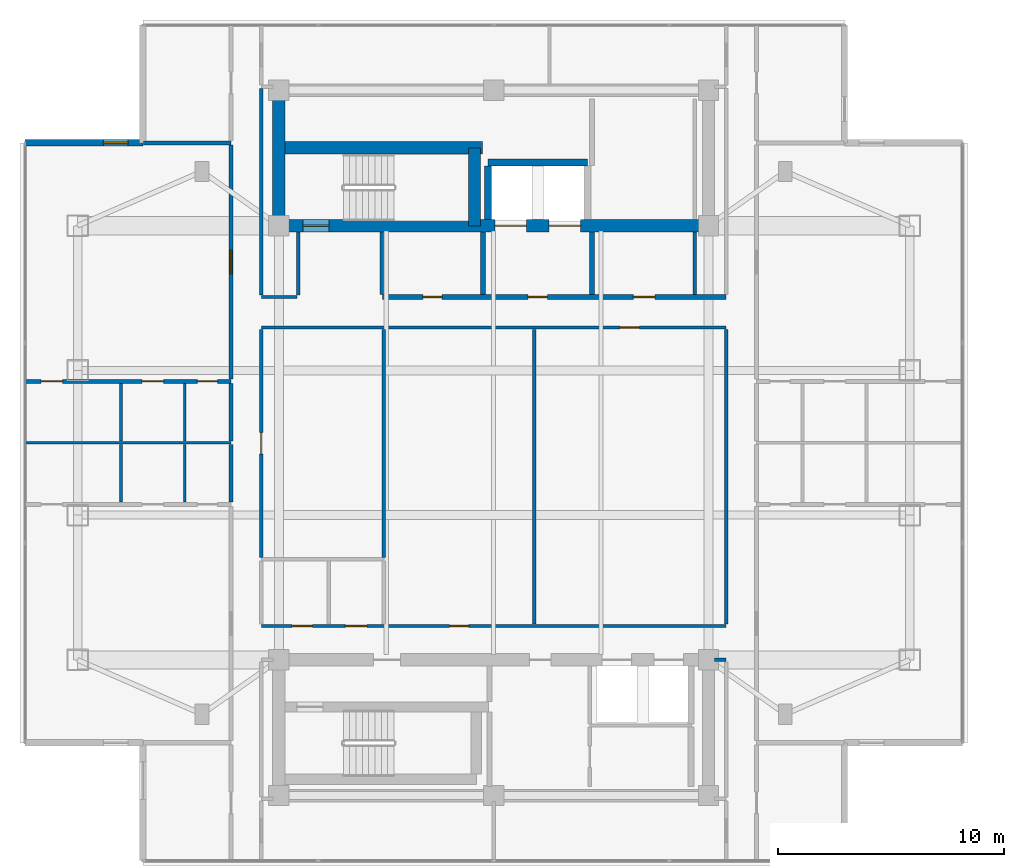
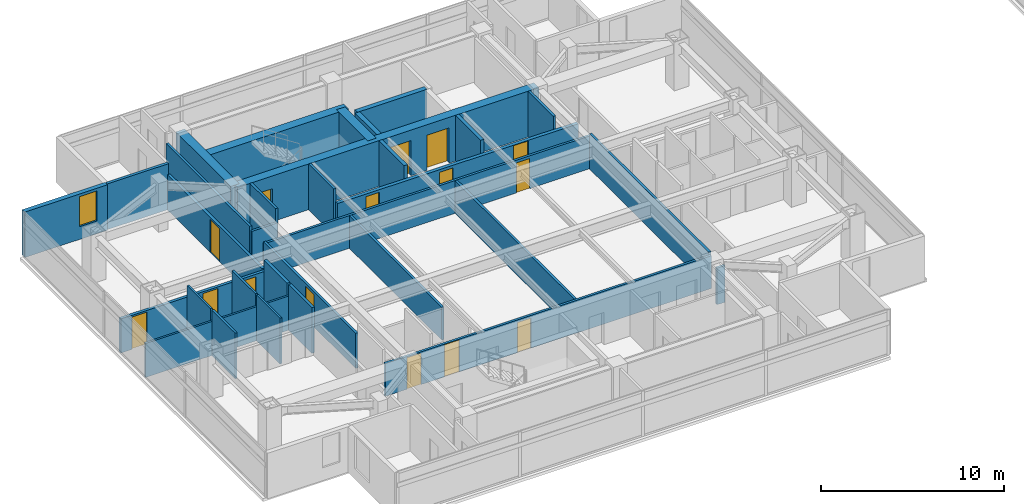
# One storey, part 13 of 24: 32 walls, 15 doors, 1 window, 16 openings.
"""IFC4 building model written with IfcOpenShell, lengths in metres."""

import ifcopenshell
import ifcopenshell.guid

model = None  # the IFC model being written
_history = None  # IfcOwnerHistory: only IFC2X3 demands one
_inside = {}  # id of a spatial element -> (the spatial element, [elements in it])
_under = {}  # id of a project, library or spatial element -> (it, [spatial elements below it])
_declared = {}  # id of a project -> (the project, [libraries it declares])
_typed = {}  # id of a type object -> (the type object, [elements of that type])
_made_of = {}  # id of a material, layer set ... -> (it, [elements and type objects made of it])


def new_model(schema):
    """Start an empty IFC model of exactly this schema.

    Asked for "IFC4X3", IfcOpenShell would pick the latest addendum, in which some entities
    have other attributes; the version numbers below select the first issue.
    IFC2X3 requires an IfcOwnerHistory on every rooted entity: one is made here for all.
    """
    global model, _history
    if schema == "IFC4X3":
        model = ifcopenshell.file(schema_version=(4, 3, 0, 0))
    else:
        model = ifcopenshell.file(schema=schema)
    _inside.clear()
    _under.clear()
    _declared.clear()
    _typed.clear()
    _made_of.clear()
    _history = None
    if model.schema == "IFC2X3":
        org = make("IfcOrganization", Name="unknown")
        user = make(
            "IfcPersonAndOrganization",
            ThePerson=make("IfcPerson", FamilyName="unknown"),
            TheOrganization=org,
        )
        app = make(
            "IfcApplication",
            ApplicationDeveloper=org,
            Version="unknown",
            ApplicationFullName="unknown",
            ApplicationIdentifier="unknown",
        )
        _history = make(
            "IfcOwnerHistory",
            OwningUser=user,
            OwningApplication=app,
            ChangeAction="ADDED",
            CreationDate=0,
        )
    return model


def make(cls, **values):
    """One entity of the class cls with the attributes given. An attribute that is None is left unset."""
    return model.create_entity(
        cls, **{name: value for name, value in values.items() if value is not None}
    )


def rooted(cls, **values):
    """An entity with a GlobalId (a new one), such as an element, a storey or a relation."""
    return make(cls, GlobalId=ifcopenshell.guid.new(), OwnerHistory=_history, **values)


def si_unit(unit_type, name, prefix=None):
    """IfcSIUnit, for example si_unit("LENGTHUNIT", "METRE", prefix="MILLI")."""
    return make("IfcSIUnit", UnitType=unit_type, Prefix=prefix, Name=name)


def assignment(units):
    """IfcUnitAssignment: the units of a project."""
    return None if units is None else make("IfcUnitAssignment", Units=units)


def point(xyz):
    """IfcCartesianPoint."""
    return None if xyz is None else make("IfcCartesianPoint", Coordinates=xyz)


def direction(xyz):
    """IfcDirection."""
    return None if xyz is None else make("IfcDirection", DirectionRatios=xyz)


def frame(location, z_axis=None, x_axis=None):
    """IfcAxis2Placement3D, a coordinate frame: its origin and axes. An axis left out is left unset."""
    return make(
        "IfcAxis2Placement3D",
        Location=point(location),
        Axis=direction(z_axis),
        RefDirection=direction(x_axis),
    )


def frame_2d(location, x_axis=None):
    """IfcAxis2Placement2D, a coordinate frame in the plane: its origin and x axis."""
    return make(
        "IfcAxis2Placement2D", Location=point(location), RefDirection=direction(x_axis)
    )


def origin():
    """The frame at (0, 0, 0) with its axes left unset."""
    return frame((0.0, 0.0, 0.0))


def place(relative_to, where):
    """IfcLocalPlacement: puts the frame where relative to a parent placement (None: the world)."""
    return make(
        "IfcLocalPlacement", PlacementRelTo=relative_to, RelativePlacement=where
    )


def context(
    kind, dimensions, precision=None, world=None, true_north=None, identifier=None
):
    """IfcGeometricRepresentationContext, for example the 3D "Model" context."""
    return make(
        "IfcGeometricRepresentationContext",
        ContextIdentifier=identifier,
        ContextType=kind,
        CoordinateSpaceDimension=dimensions,
        Precision=precision,
        WorldCoordinateSystem=world,
        TrueNorth=true_north,
    )


def subcontext(parent, identifier, kind, view, scale=None):
    """IfcGeometricRepresentationSubContext, for example "Body" below "Model"."""
    return make(
        "IfcGeometricRepresentationSubContext",
        ContextIdentifier=identifier,
        ContextType=kind,
        ParentContext=parent,
        TargetScale=scale,
        TargetView=view,
    )


def project(units=None, contexts=None):
    """IfcProject with its units and contexts."""
    return rooted(
        "IfcProject",
        Name="project",
        RepresentationContexts=contexts,
        UnitsInContext=assignment(units),
    )


def spatial(cls, under=None, at=None, **own):
    """A site, building, storey or space (cls), placed at a placement, below another one or the project."""
    s = rooted(cls, ObjectPlacement=at, **own)
    if under is not None:
        _under.setdefault(under.id(), (under, []))[1].append(s)
    return s


def profile(cls, at=None, kind="AREA", **sizes):
    """A parametric profile (cls). Its sizes go by their IFC names, for example OverallWidth=200.0."""
    return make(cls, ProfileType=kind, Position=at, **sizes)


def rectangle(**sizes):
    """IfcRectangleProfileDef."""
    return profile("IfcRectangleProfileDef", **sizes)


def extrude(swept, where, along, depth):
    """IfcExtrudedAreaSolid: the profile swept, set in the frame where, extruded along a direction by depth."""
    return make(
        "IfcExtrudedAreaSolid",
        SweptArea=swept,
        Position=where,
        ExtrudedDirection=direction(along),
        Depth=depth,
    )


def shape(context_of_items, identifier, shape_type, items):
    """IfcShapeRepresentation: the items that make up one representation, for example the "Body"."""
    return make(
        "IfcShapeRepresentation",
        ContextOfItems=context_of_items,
        RepresentationIdentifier=identifier,
        RepresentationType=shape_type,
        Items=items,
    )


def material(Name=None, Category=None):
    """IfcMaterial."""
    return make("IfcMaterial", Name=Name, Category=Category)


def layer(
    of_material, thickness, ventilated=None, Name=None, Category=None, Priority=None
):
    """IfcMaterialLayer: one layer of a wall or slab, of a material (None: an air gap)."""
    return make(
        "IfcMaterialLayer",
        Material=of_material,
        LayerThickness=thickness,
        IsVentilated=ventilated,
        Name=Name,
        Category=Category,
        Priority=Priority,
    )


def layer_set(layers, Name=None):
    """IfcMaterialLayerSet."""
    return make("IfcMaterialLayerSet", MaterialLayers=layers, LayerSetName=Name)


def made_of(thing, what):
    """Note that an element or type object is made of a material, layer set ...; save() writes the relation."""
    if what is not None:
        _made_of.setdefault(what.id(), (what, []))[1].append(thing)
    return thing


def type_object(cls, material=None, **own):
    """A type object (cls), such as IfcWallType, which elements share."""
    return made_of(rooted(cls, **own), material)


def element(
    cls,
    number,
    at=None,
    inside=None,
    cuts=None,
    type_object=None,
    material=None,
    context=None,
    identifier="Body",
    shape_type=None,
    held_by="IfcProductDefinitionShape",
    body=None,
    shapes=None,
    **own,
):
    """One element of the class cls, such as IfcWall. Its Tag is "e" and its number.

    at: its placement. inside: the storey or other place that contains it. cuts: it is an
    opening in that element (IfcRelVoidsElement). A single representation is given by context,
    identifier, shape_type and body (its items); several are given by shapes. held_by: the class
    of the entity that holds the representations. save() writes the other relations.
    """
    e = rooted(cls, Tag="e%d" % number, ObjectPlacement=at, **own)
    if body is not None:
        shapes = [shape(context, identifier, shape_type, body)]
    if shapes is not None:
        e.Representation = make(held_by, Representations=shapes)
    if inside is not None:
        _inside.setdefault(inside.id(), (inside, []))[1].append(e)
    if cuts is not None:
        rooted(
            "IfcRelVoidsElement", RelatingBuildingElement=cuts, RelatedOpeningElement=e
        )
    if type_object is not None:
        _typed.setdefault(type_object.id(), (type_object, []))[1].append(e)
    return made_of(e, material)


def fill(opening, filler):
    """IfcRelFillsElement: the door or window that sits in an opening."""
    return rooted(
        "IfcRelFillsElement",
        RelatingOpeningElement=opening,
        RelatedBuildingElement=filler,
    )


def aggregate(whole, parts):
    """IfcRelAggregates: a whole, such as a stair, and the parts it consists of."""
    return rooted("IfcRelAggregates", RelatingObject=whole, RelatedObjects=parts)


def save(model, path):
    """Write the relations noted so far, then the file.

    IfcRelAggregates (storeys below a building ...), IfcRelContainedInSpatialStructure (elements
    in a storey), IfcRelDefinesByType, IfcRelAssociatesMaterial and IfcRelDeclares: one each for
    every whole, place, type object, material and project.
    """
    for whole, parts in _under.values():
        aggregate(whole, parts)
    for where, things in _inside.values():
        rooted(
            "IfcRelContainedInSpatialStructure",
            RelatedElements=things,
            RelatingStructure=where,
        )
    for kind, things in _typed.values():
        rooted("IfcRelDefinesByType", RelatedObjects=things, RelatingType=kind)
    for what, things in _made_of.values():
        rooted("IfcRelAssociatesMaterial", RelatedObjects=things, RelatingMaterial=what)
    for by, libraries in _declared.values():
        rooted("IfcRelDeclares", RelatingContext=by, RelatedDefinitions=libraries)
    model.write(path)


model = new_model("IFC4")

# Units and contexts
model_context = context("Model", 3, precision=1e-05, world=origin(), true_north=direction((0.0, 1.0)))
body_context = subcontext(model_context, "Body", "Model", "MODEL_VIEW")
ifc_project = project(units=[si_unit("LENGTHUNIT", "METRE"), si_unit("AREAUNIT", "SQUARE_METRE"), si_unit("VOLUMEUNIT", "CUBIC_METRE"), si_unit("PLANEANGLEUNIT", "RADIAN"), si_unit("MASSUNIT", "GRAM", prefix="KILO")], contexts=[model_context])

# Site, building, storey
site_placement = place(None, origin())
site = spatial("IfcSite", under=ifc_project, at=site_placement, CompositionType="ELEMENT")
building_placement = place(site_placement, origin())
building = spatial("IfcBuilding", under=site, at=building_placement, Name="Mirazonda Arch Towers", CompositionType="ELEMENT")
storey_placement = place(building_placement, frame((0.0, 0.0, 199.89990234375)))
storey = spatial("IfcBuildingStorey", under=building, at=storey_placement, Name="L57", CompositionType="ELEMENT", Elevation=199.89990234375)

# Wall
ifc_material_1 = material(Name="Concrete C50/60", Category="concrete")
ifc_layer_1 = layer(ifc_material_1, 0.550048828125, Name="WALL-CORE-550")
ifc_layer_set_1 = layer_set([ifc_layer_1], Name="Concrete C50/60")
wall_type_1 = type_object("IfcWallType", Name="WALL-CORE-550", PredefinedType="SHEAR", material=ifc_layer_set_1)
wall_1_placement = place(storey_placement, frame((11.0, 37.60009765625, 0.0), z_axis=(0.0, 0.0, 1.0), x_axis=(0.0, 1.0, 0.0)))
element("IfcWall", 1, at=wall_1_placement, inside=storey, type_object=wall_type_1, Name="L57 T1N-W Core Shear Wall", PredefinedType="SHEAR", context=body_context, shape_type="SweptSolid", body=[
    extrude(rectangle(XDim=6.0, YDim=0.550048828125, at=frame_2d((3.0, 0.0))), origin(), (0.0, 0.0, 1.0), 3.050048828125),
])

# Wall, openings, doors
wall_2_placement = place(storey_placement, frame((11.0, 37.60009765625, 0.0), z_axis=(0.0, 0.0, 1.0), x_axis=(1.0, 0.0, 0.0)))
wall_2 = element("IfcWall", 2, at=wall_2_placement, inside=storey, type_object=wall_type_1, Name="L57 T1N-S Core Shear Wall", PredefinedType="SHEAR", context=body_context, shape_type="SweptSolid", body=[
    extrude(rectangle(XDim=19.0, YDim=0.550048828125, at=frame_2d((9.5, 0.0))), origin(), (0.0, 0.0, 1.0), 3.050048828125),
])
opening_1_placement = place(wall_2_placement, frame((1.06005859375, 0.0, 0.0)))
opening_1 = element("IfcOpeningElement", 3, at=opening_1_placement, cuts=wall_2, Name="Opening DR-135", PredefinedType="OPENING", context=body_context, shape_type="SweptSolid", body=[
    extrude(rectangle(XDim=1.14990234375, YDim=2.199951171875, at=frame_2d((0.574951171875, 1.10009765625))), frame((0.0, 0.284912109375, 0.0), z_axis=(0.0, -1.0, 0.0), x_axis=(1.0, 0.0, 0.0)), (0.0, 0.0, 1.0), 0.570068359375),
])
opening_2_placement = place(wall_2_placement, frame((9.550048828125, 0.0, 0.0)))
opening_2 = element("IfcOpeningElement", 4, at=opening_2_placement, cuts=wall_2, Name="Opening LD-112", PredefinedType="OPENING", context=body_context, shape_type="SweptSolid", body=[
    extrude(rectangle(XDim=1.39990234375, YDim=2.35009765625, at=frame_2d((0.699951171875, 1.175048828125))), frame((0.0, 0.284912109375, 0.0), z_axis=(0.0, -1.0, 0.0), x_axis=(1.0, 0.0, 0.0)), (0.0, 0.0, 1.0), 0.570068359375),
])
opening_3_placement = place(wall_2_placement, frame((11.949951171875, 0.0, 0.0)))
opening_3 = element("IfcOpeningElement", 5, at=opening_3_placement, cuts=wall_2, Name="Opening LD-112", PredefinedType="OPENING", context=body_context, shape_type="SweptSolid", body=[
    extrude(rectangle(XDim=1.39990234375, YDim=2.35009765625, at=frame_2d((0.699951171875, 1.175048828125))), frame((0.0, 0.284912109375, 0.0), z_axis=(0.0, -1.0, 0.0), x_axis=(1.0, 0.0, 0.0)), (0.0, 0.0, 1.0), 0.570068359375),
])
ifc_material_2 = material(Name="Architectural Brushed Steel S355", Category="steel")
door_type_1 = type_object("IfcDoorType", Name="DOOR-LIFT-FFL-1400", OperationType="NOTDEFINED", PredefinedType="DOOR", material=ifc_material_2)
door_1_placement = place(opening_2_placement, origin())
door_1 = element("IfcDoor", 6, at=door_1_placement, inside=storey, type_object=door_type_1, Name="L57 Lift Landing Sliding Door FFL-T1", OperationType="DOUBLE_DOOR_SLIDING", OverallHeight=2.35009765625, OverallWidth=1.39990234375, PredefinedType="DOOR", context=body_context, shape_type="SweptSolid", body=[
    extrude(rectangle(XDim=1.39990234375, YDim=2.35009765625, at=frame_2d((0.699951171875, 1.175048828125))), frame((0.0, 0.02490234375, 0.0), z_axis=(0.0, -1.0, 0.0), x_axis=(1.0, 0.0, 0.0)), (0.0, 0.0, 1.0), 0.050048828125),
])
fill(opening_2, door_1)
door_2_placement = place(opening_3_placement, origin())
door_2 = element("IfcDoor", 7, at=door_2_placement, inside=storey, type_object=door_type_1, Name="L57 Lift Landing Sliding Door SVL-T1", OperationType="DOUBLE_DOOR_SLIDING", OverallHeight=2.35009765625, OverallWidth=1.39990234375, PredefinedType="DOOR", context=body_context, shape_type="SweptSolid", body=[
    extrude(rectangle(XDim=1.39990234375, YDim=2.35009765625, at=frame_2d((0.699951171875, 1.175048828125))), frame((0.0, 0.02490234375, 0.0), z_axis=(0.0, -1.0, 0.0), x_axis=(1.0, 0.0, 0.0)), (0.0, 0.0, 1.0), 0.050048828125),
])
fill(opening_3, door_2)
door_type_2 = type_object("IfcDoorType", Name="DOOR-STAIR-FD90-1150", OperationType="NOTDEFINED", PredefinedType="DOOR", material=ifc_material_2)
door_3_placement = place(opening_1_placement, origin())
door_3 = element("IfcDoor", 8, at=door_3_placement, inside=storey, type_object=door_type_2, Name="L57 Protected Exit Stair North Door", OperationType="SINGLE_SWING_RIGHT", OverallHeight=2.199951171875, OverallWidth=1.14990234375, PredefinedType="DOOR", context=body_context, shape_type="SweptSolid", body=[
    extrude(rectangle(XDim=1.14990234375, YDim=2.199951171875, at=frame_2d((0.574951171875, 1.10009765625))), frame((0.0, 0.02490234375, 0.0), z_axis=(0.0, -1.0, 0.0), x_axis=(1.0, 0.0, 0.0)), (0.0, 0.0, 1.0), 0.050048828125),
])
fill(opening_1, door_3)

# Walls
wall_3_placement = place(storey_placement, frame((11.0, 41.04296875, 0.0), z_axis=(0.0, 0.0, 1.0), x_axis=(1.0, 0.0, 0.0)))
element("IfcWall", 9, at=wall_3_placement, inside=storey, type_object=wall_type_1, Name="L57 T1N-STN Core Shear Wall", PredefinedType="SHEAR", context=body_context, shape_type="SweptSolid", body=[
    extrude(rectangle(XDim=9.0, YDim=0.550048828125, at=frame_2d((4.5, 0.0))), origin(), (0.0, 0.0, 1.0), 3.050048828125),
])
wall_4_placement = place(storey_placement, frame((19.64990234375, 37.60009765625, 0.0), z_axis=(0.0, 0.0, 1.0), x_axis=(0.0, 1.0, 0.0)))
element("IfcWall", 10, at=wall_4_placement, inside=storey, type_object=wall_type_1, Name="L57 T1N-STE Core Shear Wall", PredefinedType="SHEAR", context=body_context, shape_type="SweptSolid", body=[
    extrude(rectangle(XDim=3.44287109375, YDim=0.550048828125, at=frame_2d((1.721435546875, 0.0))), origin(), (0.0, 0.0, 1.0), 3.050048828125),
])

# Wall, opening, window
ifc_material_3 = material(Name="Precast Concrete C40/50", Category="concrete")
ifc_layer_2 = layer(ifc_material_3, 0.280029296875, Name="WALL-EXT-WALL-280")
ifc_layer_set_2 = layer_set([ifc_layer_2], Name="Precast Concrete C40/50")
wall_type_2 = type_object("IfcWallType", Name="WALL-EXT-WALL-280", PredefinedType="SOLIDWALL", material=ifc_layer_set_2)
wall_5_placement = place(storey_placement, frame((4.985107421875, 41.264892578125, 0.0), z_axis=(0.0, 0.0, 1.0), x_axis=(-1.0, 0.0, 0.0)))
wall_5 = element("IfcWall", 11, at=wall_5_placement, inside=storey, type_object=wall_type_2, Name="L57 T1 Corner Notch Return Wall WL-L57-T1-CNW1", PredefinedType="SOLIDWALL", context=body_context, shape_type="SweptSolid", body=[
    extrude(rectangle(XDim=5.215087890625, YDim=0.280029296875, at=frame_2d((2.607421875, 0.0))), origin(), (0.0, 0.0, 1.0), 3.030029296875),
])
opening_4_placement = place(wall_5_placement, frame((0.64990234375, 0.0, 0.85009765625)))
opening_4 = element("IfcOpeningElement", 12, at=opening_4_placement, cuts=wall_5, Name="Opening WN-108", PredefinedType="OPENING", context=body_context, shape_type="SweptSolid", body=[
    extrude(rectangle(XDim=1.10009765625, YDim=2.0, at=frame_2d((0.550048828125, 1.0))), frame((0.0, 0.14990234375, 0.0), z_axis=(0.0, -1.0, 0.0), x_axis=(1.0, 0.0, 0.0)), (0.0, 0.0, 1.0), 0.300048828125),
])
ifc_material_4 = material(Name="Insulated Low-E Solar Glass", Category="glass")
window_type = type_object("IfcWindowType", Name="WIN-NOTCH-1100x2000", PartitioningType="SINGLE_PANEL", PredefinedType="WINDOW", material=ifc_material_4)
window_placement = place(opening_4_placement, origin())
window = element("IfcWindow", 13, at=window_placement, inside=storey, type_object=window_type, Name="L57 Punched Facade Window WN-L57-T1-CNW1", OverallHeight=2.0, OverallWidth=1.10009765625, PartitioningType="SINGLE_PANEL", PredefinedType="WINDOW", context=body_context, shape_type="SweptSolid", body=[
    extrude(rectangle(XDim=1.10009765625, YDim=2.0, at=frame_2d((0.550048828125, 1.0))), frame((0.0, 0.030029296875, 0.0), z_axis=(0.0, -1.0, 0.0), x_axis=(1.0, 0.0, 0.0)), (0.0, 0.0, 1.0), 0.06005859375),
])
fill(opening_4, window)

# Wall, openings, doors
ifc_material_5 = material(Name="Concrete C40/50", Category="concrete")
ifc_layer_3 = layer(ifc_material_5, 0.219970703125, Name="WALL-FFL-220")
ifc_layer_set_3 = layer_set([ifc_layer_3], Name="Concrete C40/50")
wall_type_3 = type_object("IfcWallType", Name="WALL-FFL-220", PredefinedType="SOLIDWALL", material=ifc_layer_set_3)
wall_6_placement = place(storey_placement, frame((15.590087890625, 34.449951171875, 0.0), z_axis=(0.0, 0.0, 1.0), x_axis=(1.0, 0.0, 0.0)))
wall_6 = element("IfcWall", 14, at=wall_6_placement, inside=storey, type_object=wall_type_3, Name="L57 Interior Partition 041", PredefinedType="SOLIDWALL", context=body_context, shape_type="SweptSolid", body=[
    extrude(rectangle(XDim=15.18994140625, YDim=0.219970703125, at=frame_2d((7.594970703125, 0.0))), origin(), (0.0, 0.0, 1.0), 2.18603515625),
])
opening_5_placement = place(wall_6_placement, frame((6.43505859375, 0.0, 0.0)))
opening_5 = element("IfcOpeningElement", 15, at=opening_5_placement, cuts=wall_6, Name="Opening DR-128", PredefinedType="OPENING", context=body_context, shape_type="SweptSolid", body=[
    extrude(rectangle(XDim=0.85009765625, YDim=2.010009765625, at=frame_2d((0.425048828125, 1.0048828125))), frame((0.0, 0.119873046875, 0.0), z_axis=(0.0, -1.0, 0.0), x_axis=(1.0, 0.0, 0.0)), (0.0, 0.0, 1.0), 0.239990234375),
])
opening_6_placement = place(wall_6_placement, frame((11.0849609375, 0.0, 0.0)))
opening_6 = element("IfcOpeningElement", 16, at=opening_6_placement, cuts=wall_6, Name="Opening DR-104", PredefinedType="OPENING", context=body_context, shape_type="SweptSolid", body=[
    extrude(rectangle(XDim=0.949951171875, YDim=2.14990234375, at=frame_2d((0.47509765625, 1.074951171875))), frame((0.0, 0.119873046875, 0.0), z_axis=(0.0, -1.0, 0.0), x_axis=(1.0, 0.0, 0.0)), (0.0, 0.0, 1.0), 0.239990234375),
])
opening_7_placement = place(wall_6_placement, frame((1.77490234375, 0.0, 0.0)))
opening_7 = element("IfcOpeningElement", 17, at=opening_7_placement, cuts=wall_6, Name="Opening DR-128", PredefinedType="OPENING", context=body_context, shape_type="SweptSolid", body=[
    extrude(rectangle(XDim=0.85009765625, YDim=2.010009765625, at=frame_2d((0.425048828125, 1.0048828125))), frame((0.0, 0.119873046875, 0.0), z_axis=(0.0, -1.0, 0.0), x_axis=(1.0, 0.0, 0.0)), (0.0, 0.0, 1.0), 0.239990234375),
])
door_type_3 = type_object("IfcDoorType", Name="DOOR-RISER-FD60-850", OperationType="NOTDEFINED", PredefinedType="DOOR", material=ifc_material_2)
door_4_placement = place(opening_5_placement, origin())
door_4 = element("IfcDoor", 18, at=door_4_placement, inside=storey, type_object=door_type_3, Name="L57 Firefighting Lift Lobby Door", OperationType="SINGLE_SWING_LEFT", OverallHeight=2.010009765625, OverallWidth=0.85009765625, PredefinedType="DOOR", context=body_context, shape_type="SweptSolid", body=[
    extrude(rectangle(XDim=0.85009765625, YDim=2.010009765625, at=frame_2d((0.425048828125, 1.0048828125))), frame((0.0, 0.02490234375, 0.0), z_axis=(0.0, -1.0, 0.0), x_axis=(1.0, 0.0, 0.0)), (0.0, 0.0, 1.0), 0.050048828125),
])
fill(opening_5, door_4)
door_5_placement = place(opening_7_placement, origin())
door_5 = element("IfcDoor", 19, at=door_5_placement, inside=storey, type_object=door_type_3, Name="L57 Housekeeping Linen Room Door", OperationType="SINGLE_SWING_LEFT", OverallHeight=2.010009765625, OverallWidth=0.85009765625, PredefinedType="DOOR", context=body_context, shape_type="SweptSolid", body=[
    extrude(rectangle(XDim=0.85009765625, YDim=2.010009765625, at=frame_2d((0.425048828125, 1.0048828125))), frame((0.0, 0.02490234375, 0.0), z_axis=(0.0, -1.0, 0.0), x_axis=(1.0, 0.0, 0.0)), (0.0, 0.0, 1.0), 0.050048828125),
])
fill(opening_7, door_5)
door_type_4 = type_object("IfcDoorType", Name="DOOR-ROOM-950", OperationType="NOTDEFINED", PredefinedType="DOOR", material=ifc_material_2)
door_6_placement = place(opening_6_placement, origin())
door_6 = element("IfcDoor", 20, at=door_6_placement, inside=storey, type_object=door_type_4, Name="L57 Residents Private Art Gallery Door", OperationType="SINGLE_SWING_RIGHT", OverallHeight=2.14990234375, OverallWidth=0.949951171875, PredefinedType="DOOR", context=body_context, shape_type="SweptSolid", body=[
    extrude(rectangle(XDim=0.949951171875, YDim=2.14990234375, at=frame_2d((0.47509765625, 1.074951171875))), frame((0.0, 0.02490234375, 0.0), z_axis=(0.0, -1.0, 0.0), x_axis=(1.0, 0.0, 0.0)), (0.0, 0.0, 1.0), 0.050048828125),
])
fill(opening_6, door_6)

# Walls
for number, where, z_axis, x_axis, name in (
    (21, (20.02490234375, 34.570068359375, 0.0), (0.0, 0.0, 1.0), (0.0, 1.0, 0.0), "L57 Interior Partition 076"),
    (22, (24.85009765625, 34.570068359375, 0.0), (0.0, 0.0, 1.0), (0.0, 1.0, 0.0), "L57 Interior Partition 086"),
):
    element("IfcWall", number, at=place(storey_placement, frame(where, z_axis=z_axis, x_axis=x_axis)), inside=storey, type_object=wall_type_3, Name=name, PredefinedType="SOLIDWALL", context=body_context, shape_type="SweptSolid", body=[
        extrude(rectangle(XDim=2.760009765625, YDim=0.219970703125, at=frame_2d((1.3798828125, 0.0))), origin(), (0.0, 0.0, 1.0), 3.050048828125),
    ])
ifc_material_6 = material(Name="Fire-Rated Gypsum Stud Partition")
ifc_layer_4 = layer(ifc_material_6, 0.14990234375, Name="WALL-PART-CORR-150")
ifc_layer_set_4 = layer_set([ifc_layer_4], Name="Fire-Rated Gypsum Stud Partition")
wall_type_4 = type_object("IfcWallType", Name="WALL-PART-CORR-150", PredefinedType="PARTITIONING", material=ifc_layer_set_4)
wall_7_placement = place(storey_placement, frame((30.27001953125, 18.39990234375, 0.0), z_axis=(0.0, 0.0, 1.0), x_axis=(1.0, 0.0, 0.0)))
element("IfcWall", 23, at=wall_7_placement, inside=storey, type_object=wall_type_4, Name="L57 Interior Partition 012", PredefinedType="PARTITIONING", context=body_context, shape_type="SweptSolid", body=[
    extrude(rectangle(XDim=0.510009765625, YDim=0.14990234375, at=frame_2d((0.2548828125, 0.0))), origin(), (0.0, 0.0, 1.0), 2.442138671875),
])

# Wall, openings, doors
wall_8_placement = place(storey_placement, frame((10.219970703125, 19.89990234375, 0.0), z_axis=(0.0, 0.0, 1.0), x_axis=(1.0, 0.0, 0.0)))
wall_8 = element("IfcWall", 24, at=wall_8_placement, inside=storey, type_object=wall_type_4, Name="L57 Interior Partition 014", PredefinedType="PARTITIONING", context=body_context, shape_type="SweptSolid", body=[
    extrude(rectangle(XDim=20.56005859375, YDim=0.14990234375, at=frame_2d((10.280029296875, 0.0))), origin(), (0.0, 0.0, 1.0), 2.18603515625),
])
opening_8_placement = place(wall_8_placement, frame((1.360107421875, 0.0, 0.0)))
opening_8 = element("IfcOpeningElement", 25, at=opening_8_placement, cuts=wall_8, Name="Opening DR-120", PredefinedType="OPENING", context=body_context, shape_type="SweptSolid", body=[
    extrude(rectangle(XDim=0.89990234375, YDim=2.10009765625, at=frame_2d((0.449951171875, 1.050048828125))), frame((0.0, 0.0849609375, 0.0), z_axis=(0.0, -1.0, 0.0), x_axis=(1.0, 0.0, 0.0)), (0.0, 0.0, 1.0), 0.169921875),
])
opening_9_placement = place(wall_8_placement, frame((3.72509765625, 0.0, 0.0)))
opening_9 = element("IfcOpeningElement", 26, at=opening_9_placement, cuts=wall_8, Name="Opening DR-104", PredefinedType="OPENING", context=body_context, shape_type="SweptSolid", body=[
    extrude(rectangle(XDim=0.949951171875, YDim=2.14990234375, at=frame_2d((0.47509765625, 1.074951171875))), frame((0.0, 0.0849609375, 0.0), z_axis=(0.0, -1.0, 0.0), x_axis=(1.0, 0.0, 0.0)), (0.0, 0.0, 1.0), 0.169921875),
])
opening_10_placement = place(wall_8_placement, frame((8.325927734375, 0.0, 0.0)))
opening_10 = element("IfcOpeningElement", 27, at=opening_10_placement, cuts=wall_8, Name="Opening DR-128", PredefinedType="OPENING", context=body_context, shape_type="SweptSolid", body=[
    extrude(rectangle(XDim=0.85009765625, YDim=2.010009765625, at=frame_2d((0.425048828125, 1.0048828125))), frame((0.0, 0.0849609375, 0.0), z_axis=(0.0, -1.0, 0.0), x_axis=(1.0, 0.0, 0.0)), (0.0, 0.0, 1.0), 0.169921875),
])
door_7_placement = place(opening_10_placement, origin())
door_7 = element("IfcDoor", 28, at=door_7_placement, inside=storey, type_object=door_type_3, Name="L57 Residents Private Library Door", OperationType="SINGLE_SWING_LEFT", OverallHeight=2.010009765625, OverallWidth=0.85009765625, PredefinedType="DOOR", context=body_context, shape_type="SweptSolid", body=[
    extrude(rectangle(XDim=0.85009765625, YDim=2.010009765625, at=frame_2d((0.425048828125, 1.0048828125))), frame((0.0, 0.02490234375, 0.0), z_axis=(0.0, -1.0, 0.0), x_axis=(1.0, 0.0, 0.0)), (0.0, 0.0, 1.0), 0.050048828125),
])
fill(opening_10, door_7)
door_8_placement = place(opening_9_placement, origin())
door_8 = element("IfcDoor", 29, at=door_8_placement, inside=storey, type_object=door_type_4, Name="L57 L57 West Courtyard Study Door", OperationType="SINGLE_SWING_LEFT", OverallHeight=2.14990234375, OverallWidth=0.949951171875, PredefinedType="DOOR", context=body_context, shape_type="SweptSolid", body=[
    extrude(rectangle(XDim=0.949951171875, YDim=2.14990234375, at=frame_2d((0.47509765625, 1.074951171875))), frame((0.0, 0.02490234375, 0.0), z_axis=(0.0, -1.0, 0.0), x_axis=(1.0, 0.0, 0.0)), (0.0, 0.0, 1.0), 0.050048828125),
])
fill(opening_9, door_8)
door_type_5 = type_object("IfcDoorType", Name="DOOR-WC-900", OperationType="NOTDEFINED", PredefinedType="DOOR", material=ifc_material_2)
door_9_placement = place(opening_8_placement, origin())
door_9 = element("IfcDoor", 30, at=door_9_placement, inside=storey, type_object=door_type_5, Name="L57 Common Accessible WC Door", OperationType="SINGLE_SWING_RIGHT", OverallHeight=2.10009765625, OverallWidth=0.89990234375, PredefinedType="DOOR", context=body_context, shape_type="SweptSolid", body=[
    extrude(rectangle(XDim=0.89990234375, YDim=2.10009765625, at=frame_2d((0.449951171875, 1.050048828125))), frame((0.0, 0.02490234375, 0.0), z_axis=(0.0, -1.0, 0.0), x_axis=(1.0, 0.0, 0.0)), (0.0, 0.0, 1.0), 0.050048828125),
])
fill(opening_8, door_9)

# Wall, opening, door
wall_9_placement = place(storey_placement, frame((10.219970703125, 33.10009765625, 0.0), z_axis=(0.0, 0.0, 1.0), x_axis=(1.0, 0.0, 0.0)))
wall_9 = element("IfcWall", 31, at=wall_9_placement, inside=storey, type_object=wall_type_4, Name="L57 Interior Partition 039", PredefinedType="PARTITIONING", context=body_context, shape_type="SweptSolid", body=[
    extrude(rectangle(XDim=20.56005859375, YDim=0.14990234375, at=frame_2d((10.280029296875, 0.0))), origin(), (0.0, 0.0, 1.0), 2.18603515625),
])
opening_11_placement = place(wall_9_placement, frame((15.8759765625, 0.0, 0.0)))
opening_11 = element("IfcOpeningElement", 32, at=opening_11_placement, cuts=wall_9, Name="Opening DR-128", PredefinedType="OPENING", context=body_context, shape_type="SweptSolid", body=[
    extrude(rectangle(XDim=0.85009765625, YDim=2.010009765625, at=frame_2d((0.425048828125, 1.0048828125))), frame((0.0, 0.0849609375, 0.0), z_axis=(0.0, -1.0, 0.0), x_axis=(1.0, 0.0, 0.0)), (0.0, 0.0, 1.0), 0.169921875),
])
door_10_placement = place(opening_11_placement, origin())
door_10 = element("IfcDoor", 33, at=door_10_placement, inside=storey, type_object=door_type_3, Name="L57 Chamber Music & Screening Salon Door", OperationType="SINGLE_SWING_RIGHT", OverallHeight=2.010009765625, OverallWidth=0.85009765625, PredefinedType="DOOR", context=body_context, shape_type="SweptSolid", body=[
    extrude(rectangle(XDim=0.85009765625, YDim=2.010009765625, at=frame_2d((0.425048828125, 1.0048828125))), frame((0.0, 0.02490234375, 0.0), z_axis=(0.0, -1.0, 0.0), x_axis=(1.0, 0.0, 0.0)), (0.0, 0.0, 1.0), 0.050048828125),
])
fill(opening_11, door_10)

# Wall
wall_10_placement = place(storey_placement, frame((10.219970703125, 34.449951171875, 0.0), z_axis=(0.0, 0.0, 1.0), x_axis=(1.0, 0.0, 0.0)))
element("IfcWall", 34, at=wall_10_placement, inside=storey, type_object=wall_type_4, Name="L57 Interior Partition 040", PredefinedType="PARTITIONING", context=body_context, shape_type="SweptSolid", body=[
    extrude(rectangle(XDim=1.580078125, YDim=0.14990234375, at=frame_2d((0.7900390625, 0.0))), origin(), (0.0, 0.0, 1.0), 2.18603515625),
])

# Wall, opening, door
wall_11_placement = place(storey_placement, frame((10.219970703125, 22.93505859375, 0.0), z_axis=(0.0, 0.0, 1.0), x_axis=(0.0, 1.0, 0.0)))
wall_11 = element("IfcWall", 35, at=wall_11_placement, inside=storey, type_object=wall_type_4, Name="L57 Interior Partition 067", PredefinedType="PARTITIONING", context=body_context, shape_type="SweptSolid", body=[
    extrude(rectangle(XDim=10.079833984375, YDim=0.14990234375, at=frame_2d((5.0400390625, 0.0))), origin(), (0.0, 0.0, 1.0), 2.34619140625),
])
opening_12_placement = place(wall_11_placement, frame((4.56494140625, 0.0, 0.0)))
opening_12 = element("IfcOpeningElement", 36, at=opening_12_placement, cuts=wall_11, Name="Opening DR-104", PredefinedType="OPENING", context=body_context, shape_type="SweptSolid", body=[
    extrude(rectangle(XDim=0.949951171875, YDim=2.14990234375, at=frame_2d((0.47509765625, 1.074951171875))), frame((0.0, 0.0849609375, 0.0), z_axis=(0.0, -1.0, 0.0), x_axis=(1.0, 0.0, 0.0)), (0.0, 0.0, 1.0), 0.169921875),
])
door_11_placement = place(opening_12_placement, origin())
door_11 = element("IfcDoor", 37, at=door_11_placement, inside=storey, type_object=door_type_4, Name="L57 L57 West Courtyard Salon Door", OperationType="SINGLE_SWING_RIGHT", OverallHeight=2.14990234375, OverallWidth=0.949951171875, PredefinedType="DOOR", context=body_context, shape_type="SweptSolid", body=[
    extrude(rectangle(XDim=0.949951171875, YDim=2.14990234375, at=frame_2d((0.47509765625, 1.074951171875))), frame((0.0, 0.02490234375, 0.0), z_axis=(0.0, -1.0, 0.0), x_axis=(1.0, 0.0, 0.0)), (0.0, 0.0, 1.0), 0.050048828125),
])
fill(opening_12, door_11)

# Walls
wall_12_placement = place(storey_placement, frame((10.219970703125, 34.534912109375, 0.0), z_axis=(0.0, 0.0, 1.0), x_axis=(0.0, 1.0, 0.0)))
element("IfcWall", 38, at=wall_12_placement, inside=storey, type_object=wall_type_4, Name="L57 Interior Partition 068", PredefinedType="PARTITIONING", context=body_context, shape_type="SweptSolid", body=[
    extrude(rectangle(XDim=9.130126953125, YDim=0.14990234375, at=frame_2d((4.56494140625, 0.0))), origin(), (0.0, 0.0, 1.0), 2.442138671875),
])
wall_13_placement = place(storey_placement, frame((11.85009765625, 34.534912109375, 0.0), z_axis=(0.0, 0.0, 1.0), x_axis=(0.0, 1.0, 0.0)))
element("IfcWall", 39, at=wall_13_placement, inside=storey, type_object=wall_type_4, Name="L57 Interior Partition 070", PredefinedType="PARTITIONING", context=body_context, shape_type="SweptSolid", body=[
    extrude(rectangle(XDim=2.795166015625, YDim=0.14990234375, at=frame_2d((1.3974609375, 0.0))), origin(), (0.0, 0.0, 1.0), 3.050048828125),
])
wall_14_placement = place(storey_placement, frame((15.639892578125, 22.93505859375, 0.0), z_axis=(0.0, 0.0, 1.0), x_axis=(0.0, 1.0, 0.0)))
element("IfcWall", 40, at=wall_14_placement, inside=storey, type_object=wall_type_4, Name="L57 Interior Partition 073", PredefinedType="PARTITIONING", context=body_context, shape_type="SweptSolid", body=[
    extrude(rectangle(XDim=10.079833984375, YDim=0.14990234375, at=frame_2d((5.0400390625, 0.0))), origin(), (0.0, 0.0, 1.0), 2.18603515625),
])
wall_15_placement = place(storey_placement, frame((15.550048828125, 34.570068359375, 0.0), z_axis=(0.0, 0.0, 1.0), x_axis=(0.0, 1.0, 0.0)))
element("IfcWall", 41, at=wall_15_placement, inside=storey, type_object=wall_type_4, Name="L57 Interior Partition 074", PredefinedType="PARTITIONING", context=body_context, shape_type="SweptSolid", body=[
    extrude(rectangle(XDim=2.760009765625, YDim=0.14990234375, at=frame_2d((1.3798828125, 0.0))), origin(), (0.0, 0.0, 1.0), 3.050048828125),
])
wall_16_placement = place(storey_placement, frame((22.302001953125, 19.985107421875, 0.0), z_axis=(0.0, 0.0, 1.0), x_axis=(0.0, 1.0, 0.0)))
element("IfcWall", 42, at=wall_16_placement, inside=storey, type_object=wall_type_4, Name="L57 Interior Partition 081", PredefinedType="PARTITIONING", context=body_context, shape_type="SweptSolid", body=[
    extrude(rectangle(XDim=13.02978515625, YDim=0.14990234375, at=frame_2d((6.514892578125, 0.0))), origin(), (0.0, 0.0, 1.0), 2.18603515625),
])
wall_17_placement = place(storey_placement, frame((29.39990234375, 34.570068359375, 0.0), z_axis=(0.0, 0.0, 1.0), x_axis=(0.0, 1.0, 0.0)))
element("IfcWall", 43, at=wall_17_placement, inside=storey, type_object=wall_type_4, Name="L57 Interior Partition 090", PredefinedType="PARTITIONING", context=body_context, shape_type="SweptSolid", body=[
    extrude(rectangle(XDim=2.760009765625, YDim=0.14990234375, at=frame_2d((1.3798828125, 0.0))), origin(), (0.0, 0.0, 1.0), 3.050048828125),
])
wall_18_placement = place(storey_placement, frame((30.780029296875, 19.985107421875, 0.0), z_axis=(0.0, 0.0, 1.0), x_axis=(0.0, 1.0, 0.0)))
element("IfcWall", 44, at=wall_18_placement, inside=storey, type_object=wall_type_4, Name="L57 Interior Partition 094", PredefinedType="PARTITIONING", context=body_context, shape_type="SweptSolid", body=[
    extrude(rectangle(XDim=13.02978515625, YDim=0.14990234375, at=frame_2d((6.514892578125, 0.0))), origin(), (0.0, 0.0, 1.0), 2.34619140625),
])

# Wall, openings, doors
ifc_material_7 = material(Name="Fire-Rated Gypsum Twin-Stud Assembly")
ifc_layer_5 = layer(ifc_material_7, 0.179931640625, Name="WALL-PART-DEMISE-180")
ifc_layer_set_5 = layer_set([ifc_layer_5], Name="Fire-Rated Gypsum Twin-Stud Assembly")
wall_type_5 = type_object("IfcWallType", Name="WALL-PART-DEMISE-180", PredefinedType="PARTITIONING", material=ifc_layer_set_5)
wall_19_placement = place(storey_placement, frame((-0.22998046875, 30.719970703125, 0.0), z_axis=(0.0, 0.0, 1.0), x_axis=(1.0, 0.0, 0.0)))
wall_19 = element("IfcWall", 45, at=wall_19_placement, inside=storey, type_object=wall_type_5, Name="L57 Interior Partition 035", PredefinedType="PARTITIONING", context=body_context, shape_type="SweptSolid", body=[
    extrude(rectangle(XDim=9.10986328125, YDim=0.179931640625, at=frame_2d((4.554931640625, 0.0))), origin(), (0.0, 0.0, 1.0), 2.26904296875),
])
opening_13_placement = place(wall_19_placement, frame((0.716064453125, 0.0, 0.0)))
opening_13 = element("IfcOpeningElement", 46, at=opening_13_placement, cuts=wall_19, Name="Opening DR-104", PredefinedType="OPENING", context=body_context, shape_type="SweptSolid", body=[
    extrude(rectangle(XDim=0.949951171875, YDim=2.14990234375, at=frame_2d((0.47509765625, 1.074951171875))), frame((0.0, 0.099853515625, 0.0), z_axis=(0.0, -1.0, 0.0), x_axis=(1.0, 0.0, 0.0)), (0.0, 0.0, 1.0), 0.199951171875),
])
opening_14_placement = place(wall_19_placement, frame((5.180908203125, 0.0, 0.0)))
opening_14 = element("IfcOpeningElement", 47, at=opening_14_placement, cuts=wall_19, Name="Opening DR-104", PredefinedType="OPENING", context=body_context, shape_type="SweptSolid", body=[
    extrude(rectangle(XDim=0.949951171875, YDim=2.14990234375, at=frame_2d((0.47509765625, 1.074951171875))), frame((0.0, 0.099853515625, 0.0), z_axis=(0.0, -1.0, 0.0), x_axis=(1.0, 0.0, 0.0)), (0.0, 0.0, 1.0), 0.199951171875),
])
opening_15_placement = place(wall_19_placement, frame((7.6201171875, 0.0, 0.0)))
opening_15 = element("IfcOpeningElement", 48, at=opening_15_placement, cuts=wall_19, Name="Opening DR-120", PredefinedType="OPENING", context=body_context, shape_type="SweptSolid", body=[
    extrude(rectangle(XDim=0.89990234375, YDim=2.10009765625, at=frame_2d((0.449951171875, 1.050048828125))), frame((0.0, 0.099853515625, 0.0), z_axis=(0.0, -1.0, 0.0), x_axis=(1.0, 0.0, 0.0)), (0.0, 0.0, 1.0), 0.199951171875),
])
door_12_placement = place(opening_13_placement, origin())
door_12 = element("IfcDoor", 49, at=door_12_placement, inside=storey, type_object=door_type_4, Name="L57 Residence 2 Principal Bedroom Door", OperationType="SINGLE_SWING_RIGHT", OverallHeight=2.14990234375, OverallWidth=0.949951171875, PredefinedType="DOOR", context=body_context, shape_type="SweptSolid", body=[
    extrude(rectangle(XDim=0.949951171875, YDim=2.14990234375, at=frame_2d((0.47509765625, 1.074951171875))), frame((0.0, 0.02490234375, 0.0), z_axis=(0.0, -1.0, 0.0), x_axis=(1.0, 0.0, 0.0)), (0.0, 0.0, 1.0), 0.050048828125),
])
fill(opening_13, door_12)
door_13_placement = place(opening_14_placement, origin())
door_13 = element("IfcDoor", 50, at=door_13_placement, inside=storey, type_object=door_type_4, Name="L57 Residence 2 Fitted Kitchen Door", OperationType="SINGLE_SWING_LEFT", OverallHeight=2.14990234375, OverallWidth=0.949951171875, PredefinedType="DOOR", context=body_context, shape_type="SweptSolid", body=[
    extrude(rectangle(XDim=0.949951171875, YDim=2.14990234375, at=frame_2d((0.47509765625, 1.074951171875))), frame((0.0, 0.02490234375, 0.0), z_axis=(0.0, -1.0, 0.0), x_axis=(1.0, 0.0, 0.0)), (0.0, 0.0, 1.0), 0.050048828125),
])
fill(opening_14, door_13)
door_14_placement = place(opening_15_placement, origin())
door_14 = element("IfcDoor", 51, at=door_14_placement, inside=storey, type_object=door_type_5, Name="L57 Residence 2 Bathroom Door", OperationType="SINGLE_SWING_RIGHT", OverallHeight=2.10009765625, OverallWidth=0.89990234375, PredefinedType="DOOR", context=body_context, shape_type="SweptSolid", body=[
    extrude(rectangle(XDim=0.89990234375, YDim=2.10009765625, at=frame_2d((0.449951171875, 1.050048828125))), frame((0.0, 0.02490234375, 0.0), z_axis=(0.0, -1.0, 0.0), x_axis=(1.0, 0.0, 0.0)), (0.0, 0.0, 1.0), 0.050048828125),
])
fill(opening_15, door_14)

# Walls
wall_20_placement = place(storey_placement, frame((5.0048828125, 41.264892578125, 0.0), z_axis=(0.0, 0.0, 1.0), x_axis=(1.0, 0.0, 0.0)))
element("IfcWall", 52, at=wall_20_placement, inside=storey, type_object=wall_type_5, Name="L57 Interior Partition 050", PredefinedType="PARTITIONING", context=body_context, shape_type="SweptSolid", body=[
    extrude(rectangle(XDim=3.875, YDim=0.179931640625, at=frame_2d((1.9375, 0.0))), origin(), (0.0, 0.0, 1.0), 3.050048828125),
])
for number, where, z_axis, x_axis, name in (
    (53, (8.8798828125, 25.3798828125, 0.0), (0.0, 0.0, 1.0), (0.0, 1.0, 0.0), "L57 Interior Partition 060"),
    (54, (8.8798828125, 28.072509765625, 0.0), (0.0, 0.0, 1.0), (0.0, 1.0, 0.0), "L57 Interior Partition 061"),
):
    element("IfcWall", number, at=place(storey_placement, frame(where, z_axis=z_axis, x_axis=x_axis)), inside=storey, type_object=wall_type_5, Name=name, PredefinedType="PARTITIONING", context=body_context, shape_type="SweptSolid", body=[
        extrude(rectangle(XDim=2.547607421875, YDim=0.179931640625, at=frame_2d((1.27392578125, 0.0))), origin(), (0.0, 0.0, 1.0), 3.050048828125),
    ])

# Wall, opening, door
wall_21_placement = place(storey_placement, frame((8.8798828125, 30.820068359375, 0.0), z_axis=(0.0, 0.0, 1.0), x_axis=(0.0, 1.0, 0.0)))
wall_21 = element("IfcWall", 55, at=wall_21_placement, inside=storey, type_object=wall_type_5, Name="L57 Interior Partition 062", PredefinedType="PARTITIONING", context=body_context, shape_type="SweptSolid", body=[
    extrude(rectangle(XDim=10.344970703125, YDim=0.179931640625, at=frame_2d((5.17236328125, 0.0))), origin(), (0.0, 0.0, 1.0), 2.34619140625),
])
opening_16_placement = place(wall_21_placement, frame((4.6474609375, 0.0, 0.0)))
opening_16 = element("IfcOpeningElement", 56, at=opening_16_placement, cuts=wall_21, Name="Opening DR-121", PredefinedType="OPENING", context=body_context, shape_type="SweptSolid", body=[
    extrude(rectangle(XDim=1.050048828125, YDim=2.199951171875, at=frame_2d((0.52490234375, 1.10009765625))), frame((0.0, 0.099853515625, 0.0), z_axis=(0.0, -1.0, 0.0), x_axis=(1.0, 0.0, 0.0)), (0.0, 0.0, 1.0), 0.199951171875),
])
door_type_6 = type_object("IfcDoorType", Name="DOOR-SUITE-FD60-1050", OperationType="NOTDEFINED", PredefinedType="DOOR", material=ifc_material_2)
door_15_placement = place(opening_16_placement, origin())
door_15 = element("IfcDoor", 57, at=door_15_placement, inside=storey, type_object=door_type_6, Name="L57 Penthouse Residence 2 Living & Dining Salon Door", OperationType="SINGLE_SWING_LEFT", OverallHeight=2.199951171875, OverallWidth=1.050048828125, PredefinedType="DOOR", context=body_context, shape_type="SweptSolid", body=[
    extrude(rectangle(XDim=1.050048828125, YDim=2.199951171875, at=frame_2d((0.52490234375, 1.10009765625))), frame((0.0, 0.02490234375, 0.0), z_axis=(0.0, -1.0, 0.0), x_axis=(1.0, 0.0, 0.0)), (0.0, 0.0, 1.0), 0.050048828125),
])
fill(opening_16, door_15)

# Walls
ifc_material_8 = material(Name="Acoustic Fire-Rated Gypsum Partition")
ifc_layer_6 = layer(ifc_material_8, 0.125, Name="WALL-PART-UNIT-125")
ifc_layer_set_6 = layer_set([ifc_layer_6], Name="Acoustic Fire-Rated Gypsum Partition")
wall_type_6 = type_object("IfcWallType", Name="WALL-PART-UNIT-125", PredefinedType="PARTITIONING", material=ifc_layer_set_6)
wall_22_placement = place(storey_placement, frame((-0.22998046875, 28.0, 0.0), z_axis=(0.0, 0.0, 1.0), x_axis=(1.0, 0.0, 0.0)))
element("IfcWall", 58, at=wall_22_placement, inside=storey, type_object=wall_type_6, Name="L57 Interior Partition 029", PredefinedType="PARTITIONING", context=body_context, shape_type="SweptSolid", body=[
    extrude(rectangle(XDim=9.10986328125, YDim=0.125, at=frame_2d((4.554931640625, 0.0))), origin(), (0.0, 0.0, 1.0), 2.26904296875),
])
for number, where, z_axis, x_axis, name in (
    (59, (4.011962890625, 25.3798828125, 0.0), (0.0, 0.0, 1.0), (0.0, 1.0, 0.0), "L57 Interior Partition 054"),
    (60, (4.011962890625, 28.072509765625, 0.0), (0.0, 0.0, 1.0), (0.0, 1.0, 0.0), "L57 Interior Partition 055"),
    (61, (6.840087890625, 25.3798828125, 0.0), (0.0, 0.0, 1.0), (0.0, 1.0, 0.0), "L57 Interior Partition 056"),
    (62, (6.840087890625, 28.072509765625, 0.0), (0.0, 0.0, 1.0), (0.0, 1.0, 0.0), "L57 Interior Partition 057"),
):
    element("IfcWall", number, at=place(storey_placement, frame(where, z_axis=z_axis, x_axis=x_axis)), inside=storey, type_object=wall_type_6, Name=name, PredefinedType="PARTITIONING", context=body_context, shape_type="SweptSolid", body=[
        extrude(rectangle(XDim=2.547607421875, YDim=0.125, at=frame_2d((1.27392578125, 0.0))), origin(), (0.0, 0.0, 1.0), 3.050048828125),
    ])
ifc_layer_7 = layer(ifc_material_1, 0.300048828125, Name="WALL-SHAFT-300")
ifc_layer_set_7 = layer_set([ifc_layer_7], Name="Concrete C50/60")
wall_type_7 = type_object("IfcWallType", Name="WALL-SHAFT-300", PredefinedType="SOLIDWALL", material=ifc_layer_set_7)
wall_23_placement = place(storey_placement, frame((20.25, 40.39990234375, 0.0), z_axis=(0.0, 0.0, 1.0), x_axis=(1.0, 0.0, 0.0)))
element("IfcWall", 63, at=wall_23_placement, inside=storey, type_object=wall_type_7, Name="L57 Interior Partition 049", PredefinedType="SOLIDWALL", context=body_context, shape_type="SweptSolid", body=[
    extrude(rectangle(XDim=4.39990234375, YDim=0.300048828125, at=frame_2d((2.199951171875, 0.0))), origin(), (0.0, 0.0, 1.0), 3.050048828125),
])
wall_24_placement = place(storey_placement, frame((20.25, 37.8701171875, 0.0), z_axis=(0.0, 0.0, 1.0), x_axis=(0.0, 1.0, 0.0)))
element("IfcWall", 64, at=wall_24_placement, inside=storey, type_object=wall_type_7, Name="L57 Interior Partition 079", PredefinedType="SOLIDWALL", context=body_context, shape_type="SweptSolid", body=[
    extrude(rectangle(XDim=2.369873046875, YDim=0.300048828125, at=frame_2d((1.18505859375, 0.0))), origin(), (0.0, 0.0, 1.0), 3.050048828125),
])

save(model, "model.ifc")
